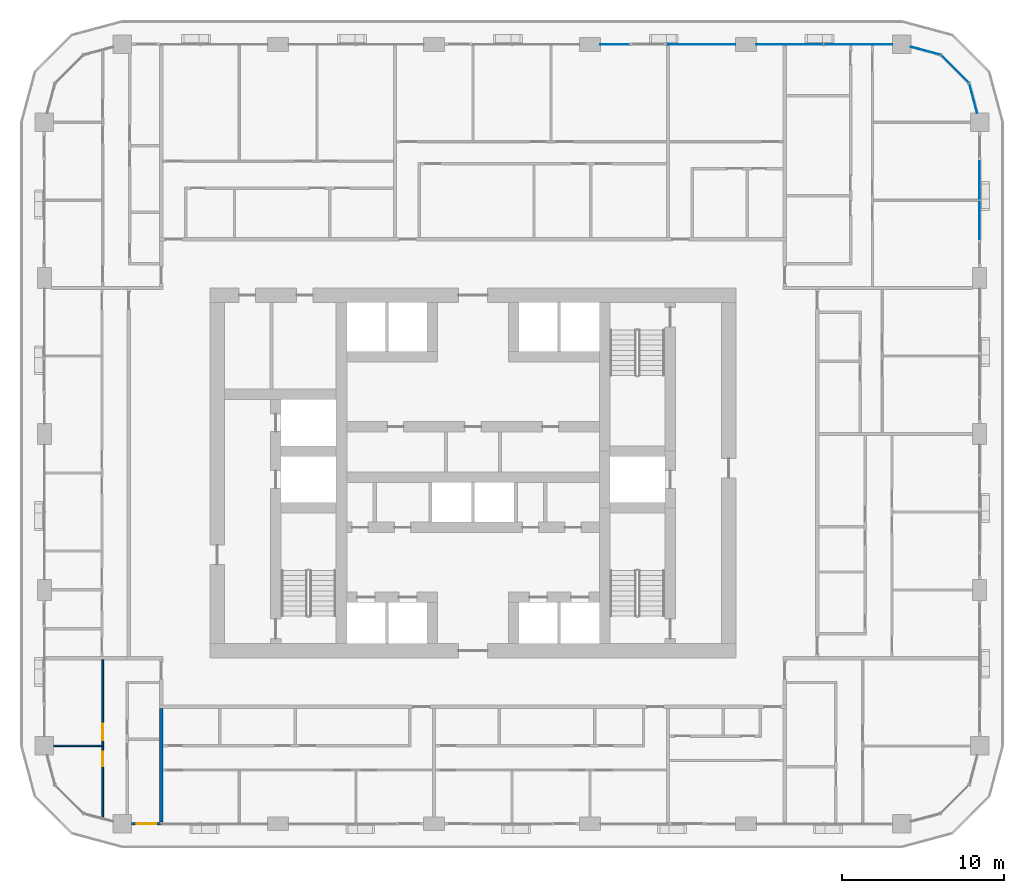
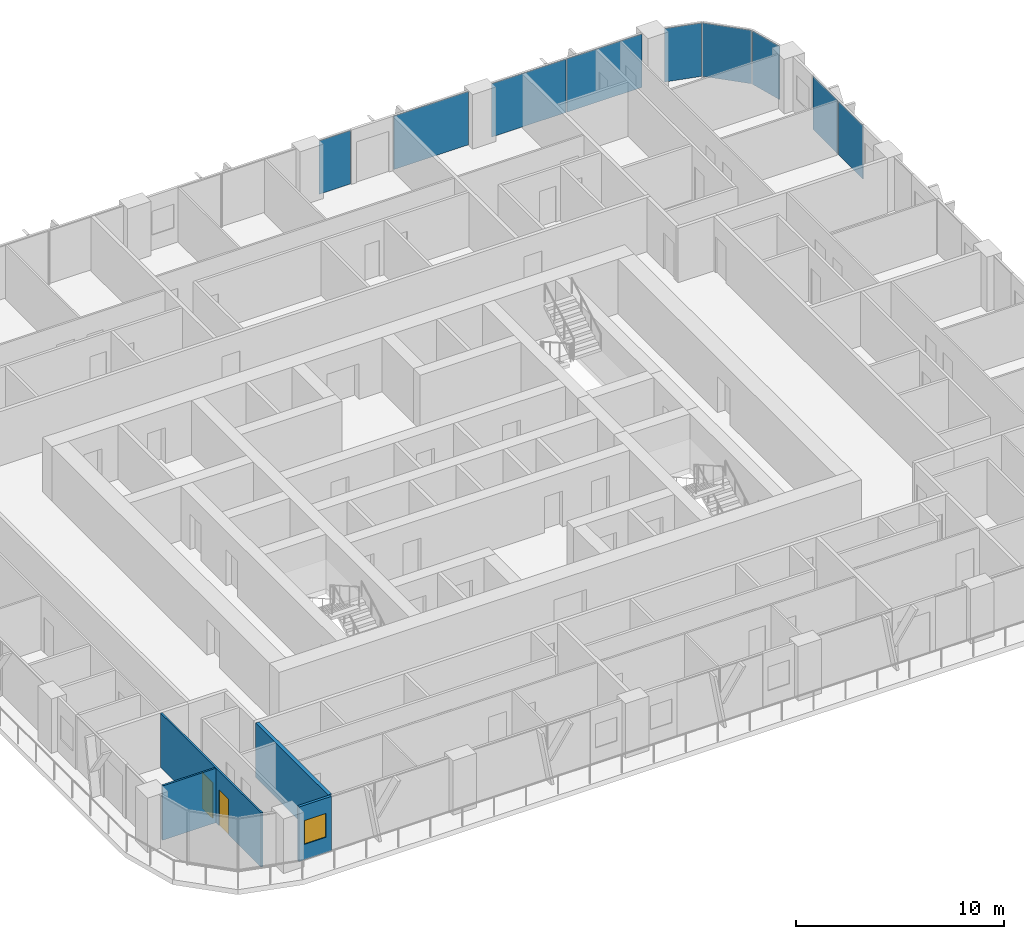
# One storey, part 8 of 21: 9 plates, 4 walls, 2 doors, 1 window, 3 openings, 4 elements without a shape of their own.
"""IFC4 building model written with IfcOpenShell, lengths in metres."""

from ifc_helpers import new_model, si_unit, direction, frame, frame_2d, origin, origin_2d, place, context, subcontext, project, spatial, rectangle, extrude, material, layer, layer_set, type_object, element, fill, aggregate, save


model = new_model("IFC4")

# Units and contexts
model_context = context("Model", 3, precision=1e-05, world=origin(), true_north=direction((0.0, 1.0)))
body_context = subcontext(model_context, "Body", "Model", "MODEL_VIEW")
ifc_project = project(units=[si_unit("LENGTHUNIT", "METRE"), si_unit("AREAUNIT", "SQUARE_METRE"), si_unit("VOLUMEUNIT", "CUBIC_METRE"), si_unit("PLANEANGLEUNIT", "RADIAN"), si_unit("MASSUNIT", "GRAM", prefix="KILO")], contexts=[model_context])

# Site, building, storey
site_placement = place(None, origin())
site = spatial("IfcSite", under=ifc_project, at=site_placement, CompositionType="ELEMENT")
building_placement = place(site_placement, origin())
building = spatial("IfcBuilding", under=site, at=building_placement, Name="Madar Terraces", CompositionType="ELEMENT")
storey_placement = place(building_placement, frame((0.0, 0.0, 89.199951171875)))
storey = spatial("IfcBuildingStorey", under=building, at=storey_placement, Name="L22", CompositionType="ELEMENT", Elevation=89.199951171875)

# Curtain wall, plates
ifc_material_1 = material(Name="Glass, ceramic frit dark grey, with black aluminium frame", Category="aluminium")
ifc_layer_1 = layer(ifc_material_1, 0.199951171875)
ifc_layer_set_1 = layer_set([ifc_layer_1], Name="Facade curtain wall, fritted glass")
curtain_wall_type = type_object("IfcCurtainWallType", Name="Facade curtain wall, fritted glass", PredefinedType="NOTDEFINED", material=ifc_layer_set_1)
curtain_wall_1_placement = place(storey_placement, origin())
curtain_wall_1 = element("IfcCurtainWall", 1, at=curtain_wall_1_placement, inside=storey, type_object=curtain_wall_type, Name="Outer skin curtain wall east bay 4", PredefinedType="NOTDEFINED")
ifc_material_2 = material(Name="Glass, ceramic frit dark grey", Category="glass")
ifc_layer_2 = layer(ifc_material_2, 0.028076171875)
ifc_layer_set_2 = layer_set([ifc_layer_2], Name="Facade glass panel 28")
plate_type = type_object("IfcPlateType", Name="Facade glass panel 28", PredefinedType="CURTAIN_PANEL", material=ifc_layer_set_2)
plate_1_placement = place(storey_placement, frame((62.39990234375, 41.985107421875, 0.0), z_axis=(0.0, 0.0, 1.0), x_axis=(0.0, 1.0, 0.0)))
plate_1 = element("IfcPlate", 2, at=plate_1_placement, type_object=plate_type, Name="Panel 1", PredefinedType="CURTAIN_PANEL", context=body_context, shape_type="SweptSolid", body=[
    extrude(rectangle(XDim=2.3701171875, YDim=0.028076171875, at=origin_2d()), origin(), (0.0, 0.0, 1.0), 3.139892578125),
])
plate_2_placement = place(storey_placement, frame((62.39990234375, 44.4150390625, 0.0), z_axis=(0.0, 0.0, 1.0), x_axis=(0.0, 1.0, 0.0)))
plate_2 = element("IfcPlate", 3, at=plate_2_placement, type_object=plate_type, Name="Panel 2", PredefinedType="CURTAIN_PANEL", context=body_context, shape_type="SweptSolid", body=[
    extrude(rectangle(XDim=2.3701171875, YDim=0.028076171875, at=origin_2d()), origin(), (0.0, 0.0, 1.0), 3.139892578125),
])
aggregate(curtain_wall_1, [plate_1, plate_2])

curtain_wall_2_placement = place(storey_placement, origin())
curtain_wall_2 = element("IfcCurtainWall", 4, at=curtain_wall_2_placement, inside=storey, type_object=curtain_wall_type, Name="Outer skin curtain wall north bay 1", PredefinedType="NOTDEFINED")
plate_3_placement = place(storey_placement, frame((54.927490234375, 52.800048828125, 0.0), z_axis=(0.0, 0.0, 1.0), x_axis=(-1.0, 0.0, 0.0)))
plate_3 = element("IfcPlate", 5, at=plate_3_placement, type_object=plate_type, Name="Panel 1", PredefinedType="CURTAIN_PANEL", context=body_context, shape_type="SweptSolid", body=[
    extrude(rectangle(XDim=4.195068359375, YDim=0.028076171875, at=origin_2d()), origin(), (0.0, 0.0, 1.0), 3.139892578125),
])
plate_4_placement = place(storey_placement, frame((50.7099609375, 52.800048828125, 0.0), z_axis=(0.0, 0.0, 1.0), x_axis=(-1.0, 0.0, 0.0)))
plate_4 = element("IfcPlate", 6, at=plate_4_placement, type_object=plate_type, Name="Panel 2", PredefinedType="CURTAIN_PANEL", context=body_context, shape_type="SweptSolid", body=[
    extrude(rectangle(XDim=4.1201171875, YDim=0.028076171875, at=origin_2d()), origin(), (0.0, 0.0, 1.0), 3.139892578125),
])
aggregate(curtain_wall_2, [plate_3, plate_4])

curtain_wall_3_placement = place(storey_placement, origin())
curtain_wall_3 = element("IfcCurtainWall", 7, at=curtain_wall_3_placement, inside=storey, type_object=curtain_wall_type, Name="Outer skin curtain wall north bay 2", PredefinedType="NOTDEFINED")
plate_5_placement = place(storey_placement, frame((45.27490234375, 52.800048828125, 0.0), z_axis=(0.0, 0.0, 1.0), x_axis=(-1.0, 0.0, 0.0)))
plate_5 = element("IfcPlate", 8, at=plate_5_placement, type_object=plate_type, Name="Panel 1", PredefinedType="CURTAIN_PANEL", context=body_context, shape_type="SweptSolid", body=[
    extrude(rectangle(XDim=4.14990234375, YDim=0.028076171875, at=origin_2d()), origin(), (0.0, 0.0, 1.0), 3.139892578125),
])
plate_6_placement = place(storey_placement, frame((39.925048828125, 52.800048828125, 0.0), z_axis=(0.0, 0.0, 1.0), x_axis=(-1.0, 0.0, 0.0)))
plate_6 = element("IfcPlate", 9, at=plate_6_placement, type_object=plate_type, Name="Panel 2", PredefinedType="CURTAIN_PANEL", context=body_context, shape_type="SweptSolid", body=[
    extrude(rectangle(XDim=1.75, YDim=0.028076171875, at=origin_2d()), origin(), (0.0, 0.0, 1.0), 3.139892578125),
])
aggregate(curtain_wall_3, [plate_5, plate_6])

curtain_wall_4_placement = place(storey_placement, origin())
curtain_wall_4 = element("IfcCurtainWall", 10, at=curtain_wall_4_placement, inside=storey, type_object=curtain_wall_type, Name="Outer skin curtain wall north-east corner", PredefinedType="NOTDEFINED")
plate_7_placement = place(storey_placement, frame((62.00537109375, 49.472900390625, 0.0), z_axis=(0.0, 0.0, 1.0), x_axis=(-0.258819021888, 0.965925832509, 0.0)))
plate_7 = element("IfcPlate", 11, at=plate_7_placement, type_object=plate_type, Name="Panel 1", PredefinedType="CURTAIN_PANEL", context=body_context, shape_type="SweptSolid", body=[
    extrude(rectangle(XDim=1.859375, YDim=0.028076171875, at=origin_2d()), origin(), (0.0, 0.0, 1.0), 3.139892578125),
])
plate_8_placement = place(storey_placement, frame((60.87841796875, 51.278564453125, 0.0), z_axis=(0.0, 0.0, 1.0), x_axis=(-0.707106781187, 0.707106781187, 0.0)))
plate_8 = element("IfcPlate", 12, at=plate_8_placement, type_object=plate_type, Name="Panel 2", PredefinedType="CURTAIN_PANEL", context=body_context, shape_type="SweptSolid", body=[
    extrude(rectangle(XDim=2.424560546875, YDim=0.028076171875, at=origin_2d()), origin(), (0.0, 0.0, 1.0), 3.139892578125),
])
plate_9_placement = place(storey_placement, frame((59.072998046875, 52.4052734375, 0.0), z_axis=(0.0, 0.0, 1.0), x_axis=(-0.965925832509, 0.258819021888, 0.0)))
plate_9 = element("IfcPlate", 13, at=plate_9_placement, type_object=plate_type, Name="Panel 3", PredefinedType="CURTAIN_PANEL", context=body_context, shape_type="SweptSolid", body=[
    extrude(rectangle(XDim=1.859375, YDim=0.028076171875, at=origin_2d()), origin(), (0.0, 0.0, 1.0), 3.139892578125),
])
aggregate(curtain_wall_4, [plate_7, plate_8, plate_9])

# Wall, opening, window
ifc_material_3 = material(Name="Aluminium composite panel, black, over insulated backing", Category="aluminium")
ifc_layer_3 = layer(ifc_material_3, 0.14990234375)
ifc_layer_set_3 = layer_set([ifc_layer_3], Name="Facade bay panel 150")
wall_type_1 = type_object("IfcWallType", Name="Facade bay panel 150", PredefinedType="SOLIDWALL", material=ifc_layer_set_3)
wall_1_placement = place(storey_placement, frame((10.175048828125, 4.800048828125, 0.0), z_axis=(0.0, 0.0, 1.0), x_axis=(1.0, 0.0, 0.0)))
wall_1 = element("IfcWall", 14, at=wall_1_placement, inside=storey, type_object=wall_type_1, Name="Facade bay panel", PredefinedType="SOLIDWALL", context=body_context, shape_type="SweptSolid", body=[
    extrude(rectangle(XDim=1.824951171875, YDim=0.14990234375, at=frame_2d((0.91259765625, 0.0))), origin(), (0.0, 0.0, 1.0), 3.199951171875),
])
opening_1_placement = place(wall_1_placement, frame((0.3125, 0.0, 0.89990234375)))
opening_1 = element("IfcOpeningElement", 15, at=opening_1_placement, cuts=wall_1, Name="Opening W1", PredefinedType="OPENING", context=body_context, shape_type="SweptSolid", body=[
    extrude(rectangle(XDim=1.199951171875, YDim=1.39990234375, at=frame_2d((0.60009765625, 0.699951171875))), frame((0.0, 0.0849609375, 0.0), z_axis=(0.0, -1.0, 0.0), x_axis=(1.0, 0.0, 0.0)), (0.0, 0.0, 1.0), 0.169921875),
])
ifc_material_4 = material(Name="Glass, clear, with black aluminium frame", Category="aluminium")
window_type = type_object("IfcWindowType", Name="Vent window 1200 x 1400", PartitioningType="SINGLE_PANEL", PredefinedType="WINDOW", material=ifc_material_4)
window_placement = place(opening_1_placement, origin())
window = element("IfcWindow", 16, at=window_placement, inside=storey, type_object=window_type, Name="Operable vent window", OverallHeight=1.39990234375, OverallWidth=1.199951171875, PartitioningType="SINGLE_PANEL", PredefinedType="WINDOW", context=body_context, shape_type="SweptSolid", body=[
    extrude(rectangle(XDim=1.199951171875, YDim=1.39990234375, at=frame_2d((0.60009765625, 0.699951171875))), frame((0.0, 0.030029296875, 0.0), z_axis=(0.0, -1.0, 0.0), x_axis=(1.0, 0.0, 0.0)), (0.0, 0.0, 1.0), 0.06005859375),
])
fill(opening_1, window)

# Wall
ifc_material_5 = material(Name="Gypsum board on steel studs", Category="steel")
ifc_layer_4 = layer(ifc_material_5, 0.10009765625)
ifc_layer_set_4 = layer_set([ifc_layer_4], Name="Flat partition 100")
wall_type_2 = type_object("IfcWallType", Name="Flat partition 100", PredefinedType="PARTITIONING", material=ifc_layer_set_4)
wall_2_placement = place(storey_placement, frame((8.35009765625, 9.60009765625, 0.0), z_axis=(0.0, 0.0, 1.0), x_axis=(-1.0, 0.0, 0.0)))
element("IfcWall", 17, at=wall_2_placement, inside=storey, type_object=wall_type_2, Name="Flat partition 100", PredefinedType="PARTITIONING", context=body_context, shape_type="SweptSolid", body=[
    extrude(rectangle(XDim=2.97509765625, YDim=0.10009765625, at=frame_2d((1.487548828125, 0.0))), origin(), (0.0, 0.0, 1.0), 3.199951171875),
])

# Wall, openings, doors
wall_3_placement = place(storey_placement, frame((8.39990234375, 5.221435546875, 0.0), z_axis=(0.0, 0.0, 1.0), x_axis=(0.0, 1.0, 0.0)))
wall_3 = element("IfcWall", 18, at=wall_3_placement, inside=storey, type_object=wall_type_2, Name="Flat partition 100", PredefinedType="PARTITIONING", context=body_context, shape_type="SweptSolid", body=[
    extrude(rectangle(XDim=9.678466796875, YDim=0.10009765625, at=frame_2d((4.83935546875, 0.0))), origin(), (0.0, 0.0, 1.0), 3.199951171875),
])
opening_2_placement = place(wall_3_placement, frame((4.728515625, 0.0, 0.0)))
opening_2 = element("IfcOpeningElement", 19, at=opening_2_placement, cuts=wall_3, Name="Opening D3", PredefinedType="OPENING", context=body_context, shape_type="SweptSolid", body=[
    extrude(rectangle(XDim=1.0, YDim=2.10009765625, at=frame_2d((0.5, 1.050048828125))), frame((0.0, 0.06005859375, 0.0), z_axis=(0.0, -1.0, 0.0), x_axis=(1.0, 0.0, 0.0)), (0.0, 0.0, 1.0), 0.1201171875),
])
opening_3_placement = place(wall_3_placement, frame((3.12841796875, 0.0, 0.0)))
opening_3 = element("IfcOpeningElement", 20, at=opening_3_placement, cuts=wall_3, Name="Opening D2", PredefinedType="OPENING", context=body_context, shape_type="SweptSolid", body=[
    extrude(rectangle(XDim=0.89990234375, YDim=2.10009765625, at=frame_2d((0.449951171875, 1.050048828125))), frame((0.0, 0.06005859375, 0.0), z_axis=(0.0, -1.0, 0.0), x_axis=(1.0, 0.0, 0.0)), (0.0, 0.0, 1.0), 0.1201171875),
])
ifc_material_6 = material(Name="Timber door leaf", Category="wood")
door_type_1 = type_object("IfcDoorType", Name="Flat living room door 1000", OperationType="NOTDEFINED", PredefinedType="DOOR", material=ifc_material_6)
door_1_placement = place(opening_2_placement, origin())
door_1 = element("IfcDoor", 21, at=door_1_placement, inside=storey, type_object=door_type_1, Name="Flat living room door 1000", OperationType="SINGLE_SWING_LEFT", OverallHeight=2.10009765625, OverallWidth=1.0, PredefinedType="DOOR", context=body_context, shape_type="SweptSolid", body=[
    extrude(rectangle(XDim=1.0, YDim=2.10009765625, at=frame_2d((0.5, 1.050048828125))), frame((0.0, 0.02490234375, 0.0), z_axis=(0.0, -1.0, 0.0), x_axis=(1.0, 0.0, 0.0)), (0.0, 0.0, 1.0), 0.050048828125),
])
fill(opening_2, door_1)
ifc_material_7 = material(Name="Timber door leaf", Category="wood")
door_type_2 = type_object("IfcDoorType", Name="Flat room door 900", OperationType="NOTDEFINED", PredefinedType="DOOR", material=ifc_material_7)
door_2_placement = place(opening_3_placement, origin())
door_2 = element("IfcDoor", 22, at=door_2_placement, inside=storey, type_object=door_type_2, Name="Flat room door 900", OperationType="SINGLE_SWING_RIGHT", OverallHeight=2.10009765625, OverallWidth=0.89990234375, PredefinedType="DOOR", context=body_context, shape_type="SweptSolid", body=[
    extrude(rectangle(XDim=0.89990234375, YDim=2.10009765625, at=frame_2d((0.449951171875, 1.050048828125))), frame((0.0, 0.02490234375, 0.0), z_axis=(0.0, -1.0, 0.0), x_axis=(1.0, 0.0, 0.0)), (0.0, 0.0, 1.0), 0.050048828125),
])
fill(opening_3, door_2)

# Wall
ifc_material_8 = material(Name="Lightweight blockwork", Category="masonry")
ifc_layer_5 = layer(ifc_material_8, 0.199951171875)
ifc_layer_set_5 = layer_set([ifc_layer_5], Name="Flat party and entrance wall 200")
wall_type_3 = type_object("IfcWallType", Name="Flat party and entrance wall 200", PredefinedType="PARTITIONING", material=ifc_layer_set_5)
wall_4_placement = place(storey_placement, frame((12.0, 4.89990234375, 0.0), z_axis=(0.0, 0.0, 1.0), x_axis=(0.0, 1.0, 0.0)))
element("IfcWall", 23, at=wall_4_placement, inside=storey, type_object=wall_type_3, Name="Flat party and entrance wall 200", PredefinedType="PARTITIONING", context=body_context, shape_type="SweptSolid", body=[
    extrude(rectangle(XDim=7.0, YDim=0.199951171875, at=frame_2d((3.5, 0.0))), origin(), (0.0, 0.0, 1.0), 3.199951171875),
])

save(model, "model.ifc")
